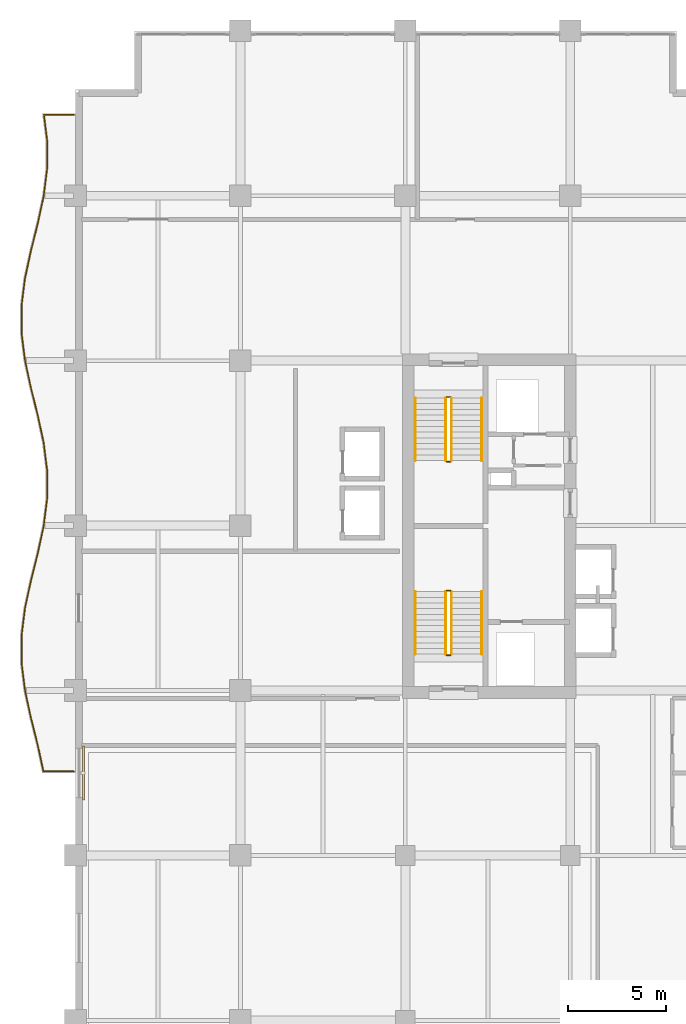
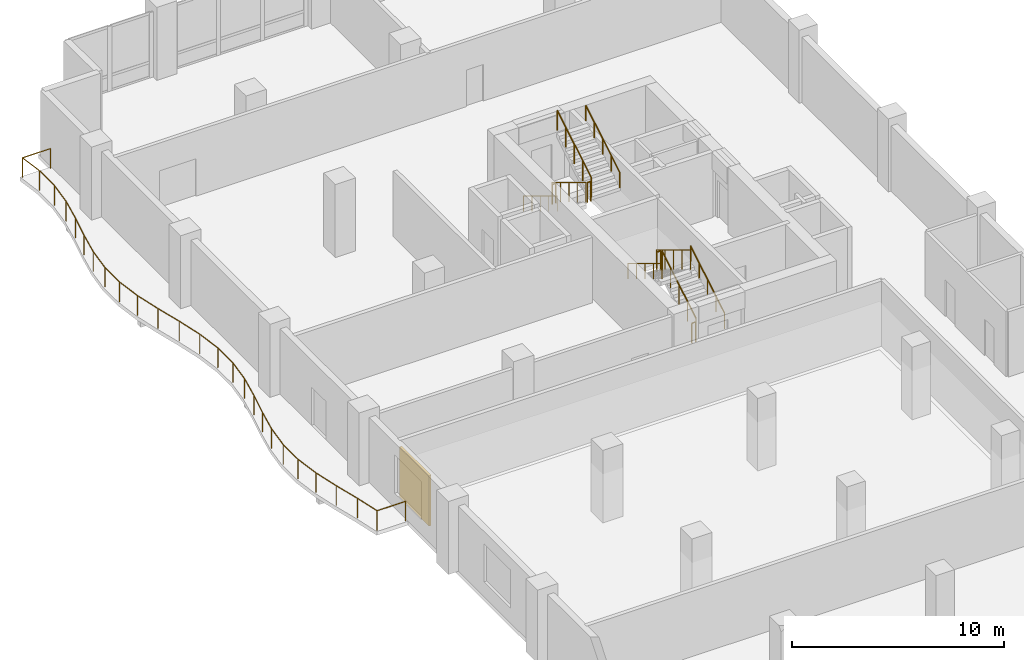
# One storey, part 20 of 21: 13 railings, 1 shading device.
"""IFC4 building model written with IfcOpenShell, lengths in metres."""

import ifcopenshell
import ifcopenshell.guid

model = None  # the IFC model being written
_history = None  # IfcOwnerHistory: only IFC2X3 demands one
_inside = {}  # id of a spatial element -> (the spatial element, [elements in it])
_under = {}  # id of a project, library or spatial element -> (it, [spatial elements below it])
_declared = {}  # id of a project -> (the project, [libraries it declares])
_typed = {}  # id of a type object -> (the type object, [elements of that type])
_made_of = {}  # id of a material, layer set ... -> (it, [elements and type objects made of it])


def new_model(schema):
    """Start an empty IFC model of exactly this schema.

    Asked for "IFC4X3", IfcOpenShell would pick the latest addendum, in which some entities
    have other attributes; the version numbers below select the first issue.
    IFC2X3 requires an IfcOwnerHistory on every rooted entity: one is made here for all.
    """
    global model, _history
    if schema == "IFC4X3":
        model = ifcopenshell.file(schema_version=(4, 3, 0, 0))
    else:
        model = ifcopenshell.file(schema=schema)
    _inside.clear()
    _under.clear()
    _declared.clear()
    _typed.clear()
    _made_of.clear()
    _history = None
    if model.schema == "IFC2X3":
        org = make("IfcOrganization", Name="unknown")
        user = make(
            "IfcPersonAndOrganization",
            ThePerson=make("IfcPerson", FamilyName="unknown"),
            TheOrganization=org,
        )
        app = make(
            "IfcApplication",
            ApplicationDeveloper=org,
            Version="unknown",
            ApplicationFullName="unknown",
            ApplicationIdentifier="unknown",
        )
        _history = make(
            "IfcOwnerHistory",
            OwningUser=user,
            OwningApplication=app,
            ChangeAction="ADDED",
            CreationDate=0,
        )
    return model


def make(cls, **values):
    """One entity of the class cls with the attributes given. An attribute that is None is left unset."""
    return model.create_entity(
        cls, **{name: value for name, value in values.items() if value is not None}
    )


def rooted(cls, **values):
    """An entity with a GlobalId (a new one), such as an element, a storey or a relation."""
    return make(cls, GlobalId=ifcopenshell.guid.new(), OwnerHistory=_history, **values)


def si_unit(unit_type, name, prefix=None):
    """IfcSIUnit, for example si_unit("LENGTHUNIT", "METRE", prefix="MILLI")."""
    return make("IfcSIUnit", UnitType=unit_type, Prefix=prefix, Name=name)


def assignment(units):
    """IfcUnitAssignment: the units of a project."""
    return None if units is None else make("IfcUnitAssignment", Units=units)


def point(xyz):
    """IfcCartesianPoint."""
    return None if xyz is None else make("IfcCartesianPoint", Coordinates=xyz)


def direction(xyz):
    """IfcDirection."""
    return None if xyz is None else make("IfcDirection", DirectionRatios=xyz)


def frame(location, z_axis=None, x_axis=None):
    """IfcAxis2Placement3D, a coordinate frame: its origin and axes. An axis left out is left unset."""
    return make(
        "IfcAxis2Placement3D",
        Location=point(location),
        Axis=direction(z_axis),
        RefDirection=direction(x_axis),
    )


def frame_2d(location, x_axis=None):
    """IfcAxis2Placement2D, a coordinate frame in the plane: its origin and x axis."""
    return make(
        "IfcAxis2Placement2D", Location=point(location), RefDirection=direction(x_axis)
    )


def origin():
    """The frame at (0, 0, 0) with its axes left unset."""
    return frame((0.0, 0.0, 0.0))


def origin_2d():
    """The frame at (0, 0) in the plane with its x axis left unset."""
    return frame_2d((0.0, 0.0))


def place(relative_to, where):
    """IfcLocalPlacement: puts the frame where relative to a parent placement (None: the world)."""
    return make(
        "IfcLocalPlacement", PlacementRelTo=relative_to, RelativePlacement=where
    )


def context(
    kind, dimensions, precision=None, world=None, true_north=None, identifier=None
):
    """IfcGeometricRepresentationContext, for example the 3D "Model" context."""
    return make(
        "IfcGeometricRepresentationContext",
        ContextIdentifier=identifier,
        ContextType=kind,
        CoordinateSpaceDimension=dimensions,
        Precision=precision,
        WorldCoordinateSystem=world,
        TrueNorth=true_north,
    )


def subcontext(parent, identifier, kind, view, scale=None):
    """IfcGeometricRepresentationSubContext, for example "Body" below "Model"."""
    return make(
        "IfcGeometricRepresentationSubContext",
        ContextIdentifier=identifier,
        ContextType=kind,
        ParentContext=parent,
        TargetScale=scale,
        TargetView=view,
    )


def project(units=None, contexts=None):
    """IfcProject with its units and contexts."""
    return rooted(
        "IfcProject",
        Name="project",
        RepresentationContexts=contexts,
        UnitsInContext=assignment(units),
    )


def spatial(cls, under=None, at=None, **own):
    """A site, building, storey or space (cls), placed at a placement, below another one or the project."""
    s = rooted(cls, ObjectPlacement=at, **own)
    if under is not None:
        _under.setdefault(under.id(), (under, []))[1].append(s)
    return s


def profile(cls, at=None, kind="AREA", **sizes):
    """A parametric profile (cls). Its sizes go by their IFC names, for example OverallWidth=200.0."""
    return make(cls, ProfileType=kind, Position=at, **sizes)


def rectangle(**sizes):
    """IfcRectangleProfileDef."""
    return profile("IfcRectangleProfileDef", **sizes)


def circle(**sizes):
    """IfcCircleProfileDef."""
    return profile("IfcCircleProfileDef", **sizes)


def extrude(swept, where, along, depth):
    """IfcExtrudedAreaSolid: the profile swept, set in the frame where, extruded along a direction by depth."""
    return make(
        "IfcExtrudedAreaSolid",
        SweptArea=swept,
        Position=where,
        ExtrudedDirection=direction(along),
        Depth=depth,
    )


def shape(context_of_items, identifier, shape_type, items):
    """IfcShapeRepresentation: the items that make up one representation, for example the "Body"."""
    return make(
        "IfcShapeRepresentation",
        ContextOfItems=context_of_items,
        RepresentationIdentifier=identifier,
        RepresentationType=shape_type,
        Items=items,
    )


def material(Name=None, Category=None):
    """IfcMaterial."""
    return make("IfcMaterial", Name=Name, Category=Category)


def layer(
    of_material, thickness, ventilated=None, Name=None, Category=None, Priority=None
):
    """IfcMaterialLayer: one layer of a wall or slab, of a material (None: an air gap)."""
    return make(
        "IfcMaterialLayer",
        Material=of_material,
        LayerThickness=thickness,
        IsVentilated=ventilated,
        Name=Name,
        Category=Category,
        Priority=Priority,
    )


def layer_set(layers, Name=None):
    """IfcMaterialLayerSet."""
    return make("IfcMaterialLayerSet", MaterialLayers=layers, LayerSetName=Name)


def made_of(thing, what):
    """Note that an element or type object is made of a material, layer set ...; save() writes the relation."""
    if what is not None:
        _made_of.setdefault(what.id(), (what, []))[1].append(thing)
    return thing


def type_object(cls, material=None, **own):
    """A type object (cls), such as IfcWallType, which elements share."""
    return made_of(rooted(cls, **own), material)


def element(
    cls,
    number,
    at=None,
    inside=None,
    cuts=None,
    type_object=None,
    material=None,
    context=None,
    identifier="Body",
    shape_type=None,
    held_by="IfcProductDefinitionShape",
    body=None,
    shapes=None,
    **own,
):
    """One element of the class cls, such as IfcWall. Its Tag is "e" and its number.

    at: its placement. inside: the storey or other place that contains it. cuts: it is an
    opening in that element (IfcRelVoidsElement). A single representation is given by context,
    identifier, shape_type and body (its items); several are given by shapes. held_by: the class
    of the entity that holds the representations. save() writes the other relations.
    """
    e = rooted(cls, Tag="e%d" % number, ObjectPlacement=at, **own)
    if body is not None:
        shapes = [shape(context, identifier, shape_type, body)]
    if shapes is not None:
        e.Representation = make(held_by, Representations=shapes)
    if inside is not None:
        _inside.setdefault(inside.id(), (inside, []))[1].append(e)
    if cuts is not None:
        rooted(
            "IfcRelVoidsElement", RelatingBuildingElement=cuts, RelatedOpeningElement=e
        )
    if type_object is not None:
        _typed.setdefault(type_object.id(), (type_object, []))[1].append(e)
    return made_of(e, material)


def aggregate(whole, parts):
    """IfcRelAggregates: a whole, such as a stair, and the parts it consists of."""
    return rooted("IfcRelAggregates", RelatingObject=whole, RelatedObjects=parts)


def save(model, path):
    """Write the relations noted so far, then the file.

    IfcRelAggregates (storeys below a building ...), IfcRelContainedInSpatialStructure (elements
    in a storey), IfcRelDefinesByType, IfcRelAssociatesMaterial and IfcRelDeclares: one each for
    every whole, place, type object, material and project.
    """
    for whole, parts in _under.values():
        aggregate(whole, parts)
    for where, things in _inside.values():
        rooted(
            "IfcRelContainedInSpatialStructure",
            RelatedElements=things,
            RelatingStructure=where,
        )
    for kind, things in _typed.values():
        rooted("IfcRelDefinesByType", RelatedObjects=things, RelatingType=kind)
    for what, things in _made_of.values():
        rooted("IfcRelAssociatesMaterial", RelatedObjects=things, RelatingMaterial=what)
    for by, libraries in _declared.values():
        rooted("IfcRelDeclares", RelatingContext=by, RelatedDefinitions=libraries)
    model.write(path)


model = new_model("IFC4")

# Units and contexts
model_context = context("Model", 3, precision=1e-05, world=origin(), true_north=direction((0.0, 1.0)))
body_context = subcontext(model_context, "Body", "Model", "MODEL_VIEW")
ifc_project = project(units=[si_unit("LENGTHUNIT", "METRE"), si_unit("AREAUNIT", "SQUARE_METRE"), si_unit("VOLUMEUNIT", "CUBIC_METRE"), si_unit("PLANEANGLEUNIT", "RADIAN"), si_unit("MASSUNIT", "GRAM", prefix="KILO")], contexts=[model_context])

# Site, building, storey
site_placement = place(None, origin())
site = spatial("IfcSite", under=ifc_project, at=site_placement, CompositionType="ELEMENT")
building_placement = place(site_placement, origin())
building = spatial("IfcBuilding", under=site, at=building_placement, Name="Koriwani Terraces Tower", CompositionType="ELEMENT")
storey_placement = place(building_placement, frame((0.0, 0.0, 224.0)))
storey = spatial("IfcBuildingStorey", under=building, at=storey_placement, Name="L55", CompositionType="ELEMENT", Elevation=224.0)

# Railings
ifc_material_1 = material(Name="Steel ASTM A572 Grade 50", Category="steel")
railing_type_1 = type_object("IfcRailingType", Name="GUARD_BALUSTRADE_1150", PredefinedType="BALUSTRADE", material=ifc_material_1)
railing_1_placement = place(storey_placement, frame((-0.080078125, 37.8798828125, 0.0)))
element("IfcRailing", 1, at=railing_1_placement, inside=storey, type_object=railing_type_1, Name="L55 Balcony Perimeter Safety Balustrade (W)", PredefinedType="BALUSTRADE", context=body_context, shape_type="SweptSolid", body=[
    extrude(circle(Radius=0.02392578125, at=origin_2d()), frame((0.0, 0.0, 1.1259765625), z_axis=(-1.0, 0.0, 0.0), x_axis=(0.0, -1.0, 0.0)), (0.0, 0.0, 1.0), 1.552978515625),
    extrude(circle(Radius=0.02392578125, at=origin_2d()), frame((-1.552978515625, 0.0, 1.1259765625), z_axis=(-0.211318979222, 0.977417151998, 0.0), x_axis=(-0.977417151998, -0.211318979222, 0.0)), (0.0, 0.0, 1.0), 1.369140625),
    extrude(circle(Radius=0.02392578125, at=origin_2d()), frame((-1.84228515625, 1.338134765625, 1.1259765625), z_axis=(-0.242097720621, 0.970251871253, 0.0), x_axis=(-0.970251871253, -0.242097720621, 0.0)), (0.0, 0.0, 1.0), 1.443115234375),
    extrude(circle(Radius=0.02392578125, at=origin_2d()), frame((-2.191650390625, 2.73828125, 1.1259765625), z_axis=(-0.211385782237, 0.977402706702, 0.0), x_axis=(-0.977402706702, -0.211385782237, 0.0)), (0.0, 0.0, 1.0), 1.427490234375),
    extrude(circle(Radius=0.02392578125, at=origin_2d()), frame((-2.493408203125, 4.133544921875, 1.1259765625), z_axis=(-0.123777613669, 0.992309982997, 0.0), x_axis=(-0.992309982997, -0.123777613669, 0.0)), (0.0, 0.0, 1.0), 1.40234375),
    extrude(circle(Radius=0.02392578125, at=origin_2d()), frame((-2.6669921875, 5.525146484375, 1.1259765625), z_axis=(0.0, 1.0, 0.0), x_axis=(-1.0, 0.0, 0.0)), (0.0, 0.0, 1.0), 1.389892578125),
    extrude(circle(Radius=0.02392578125, at=origin_2d()), frame((-2.6669921875, 6.9150390625, 1.1259765625), z_axis=(0.123777613669, 0.992309982997, 0.0), x_axis=(-0.992309982997, 0.123777613669, 0.0)), (0.0, 0.0, 1.0), 1.40234375),
    extrude(circle(Radius=0.02392578125, at=origin_2d()), frame((-2.493408203125, 8.306640625, 1.1259765625), z_axis=(0.211385782237, 0.977402706702, 0.0), x_axis=(-0.977402706702, 0.211385782237, 0.0)), (0.0, 0.0, 1.0), 1.427490234375),
    extrude(circle(Radius=0.02392578125, at=origin_2d()), frame((-2.191650390625, 9.701904296875, 1.1259765625), z_axis=(0.242097720621, 0.970251871253, 0.0), x_axis=(-0.970251871253, 0.242097720621, 0.0)), (0.0, 0.0, 1.0), 1.443115234375),
    extrude(circle(Radius=0.02392578125, at=origin_2d()), frame((-1.84228515625, 11.10205078125, 1.1259765625), z_axis=(0.21115295759, 0.977453031353, 0.0), x_axis=(-0.977453031353, 0.21115295759, 0.0)), (0.0, 0.0, 1.0), 1.437255859375),
    extrude(circle(Radius=0.02392578125, at=origin_2d()), frame((-1.538818359375, 12.5068359375, 1.1259765625), z_axis=(0.123695943136, 0.992320166908, 0.0), x_axis=(-0.992320166908, 0.123695943136, 0.0)), (0.0, 0.0, 1.0), 1.419189453125),
    extrude(circle(Radius=0.02392578125, at=origin_2d()), frame((-1.36328125, 13.9150390625, 1.1259765625), z_axis=(0.0, 1.0, 0.0), x_axis=(-1.0, 0.0, 0.0)), (0.0, 0.0, 1.0), 1.41015625),
    extrude(circle(Radius=0.02392578125, at=origin_2d()), frame((-1.36328125, 15.3251953125, 1.1259765625), z_axis=(-0.123695943136, 0.992320166908, 0.0), x_axis=(-0.992320166908, -0.123695943136, 0.0)), (0.0, 0.0, 1.0), 1.419189453125),
    extrude(circle(Radius=0.02392578125, at=origin_2d()), frame((-1.538818359375, 16.7333984375, 1.1259765625), z_axis=(-0.21115295759, 0.977453031353, 0.0), x_axis=(-0.977453031353, -0.21115295759, 0.0)), (0.0, 0.0, 1.0), 1.437255859375),
    extrude(circle(Radius=0.02392578125, at=origin_2d()), frame((-1.84228515625, 18.13818359375, 1.1259765625), z_axis=(-0.242097720621, 0.970251871253, 0.0), x_axis=(-0.970251871253, -0.242097720621, 0.0)), (0.0, 0.0, 1.0), 1.443115234375),
    extrude(circle(Radius=0.02392578125, at=origin_2d()), frame((-2.191650390625, 19.538330078125, 1.1259765625), z_axis=(-0.211385782237, 0.977402706702, 0.0), x_axis=(-0.977402706702, -0.211385782237, 0.0)), (0.0, 0.0, 1.0), 1.427490234375),
    extrude(circle(Radius=0.02392578125, at=origin_2d()), frame((-2.493408203125, 20.93359375, 1.1259765625), z_axis=(-0.123777613669, 0.992309982997, 0.0), x_axis=(-0.992309982997, -0.123777613669, 0.0)), (0.0, 0.0, 1.0), 1.40234375),
    extrude(circle(Radius=0.02392578125, at=origin_2d()), frame((-2.6669921875, 22.3251953125, 1.1259765625), z_axis=(0.0, 1.0, 0.0), x_axis=(-1.0, 0.0, 0.0)), (0.0, 0.0, 1.0), 1.389892578125),
    extrude(circle(Radius=0.02392578125, at=origin_2d()), frame((-2.6669921875, 23.715087890625, 1.1259765625), z_axis=(0.123777613669, 0.992309982997, 0.0), x_axis=(-0.992309982997, 0.123777613669, 0.0)), (0.0, 0.0, 1.0), 1.40234375),
    extrude(circle(Radius=0.02392578125, at=origin_2d()), frame((-2.493408203125, 25.106689453125, 1.1259765625), z_axis=(0.211385782237, 0.977402706702, 0.0), x_axis=(-0.977402706702, 0.211385782237, 0.0)), (0.0, 0.0, 1.0), 1.427490234375),
    extrude(circle(Radius=0.02392578125, at=origin_2d()), frame((-2.191650390625, 26.501953125, 1.1259765625), z_axis=(0.242097720621, 0.970251871253, 0.0), x_axis=(-0.970251871253, 0.242097720621, 0.0)), (0.0, 0.0, 1.0), 1.443115234375),
    extrude(circle(Radius=0.02392578125, at=origin_2d()), frame((-1.84228515625, 27.902099609375, 1.1259765625), z_axis=(0.211188023857, 0.977445455552, 0.0), x_axis=(-0.977445455552, 0.211188023857, 0.0)), (0.0, 0.0, 1.0), 1.43701171875),
    extrude(circle(Radius=0.02392578125, at=origin_2d()), frame((-1.538818359375, 29.306640625, 1.1259765625), z_axis=(0.123674829633, 0.992322798546, 0.0), x_axis=(-0.992322798546, 0.123674829633, 0.0)), (0.0, 0.0, 1.0), 1.41943359375),
    extrude(circle(Radius=0.02392578125, at=origin_2d()), frame((-1.36328125, 30.715087890625, 1.1259765625), z_axis=(0.0, 1.0, 0.0), x_axis=(-1.0, 0.0, 0.0)), (0.0, 0.0, 1.0), 1.409912109375),
    extrude(circle(Radius=0.02392578125, at=origin_2d()), frame((-1.36328125, 32.125, 1.1259765625), z_axis=(-0.123603958219, 0.992331628798, 0.0), x_axis=(-0.992331628798, -0.123603958219, 0.0)), (0.0, 0.0, 1.0), 1.325439453125),
    extrude(circle(Radius=0.02392578125, at=origin_2d()), frame((-1.527099609375, 33.440185546875, 1.1259765625), z_axis=(1.0, 0.0, 0.0), x_axis=(0.0, 1.0, 0.0)), (0.0, 0.0, 1.0), 1.527099609375),
    extrude(circle(Radius=0.02099609375, at=origin_2d()), origin(), (0.0, 0.0, 1.0), 1.101806640625),
    extrude(circle(Radius=0.02099609375, at=origin_2d()), frame((-1.552978515625, 0.0, 0.0)), (0.0, 0.0, 1.0), 1.101806640625),
    extrude(circle(Radius=0.02099609375, at=origin_2d()), frame((-1.84228515625, 1.338134765625, 0.0)), (0.0, 0.0, 1.0), 1.101806640625),
    extrude(circle(Radius=0.02099609375, at=origin_2d()), frame((-2.191650390625, 2.73828125, 0.0)), (0.0, 0.0, 1.0), 1.101806640625),
    extrude(circle(Radius=0.02099609375, at=origin_2d()), frame((-2.493408203125, 4.133544921875, 0.0)), (0.0, 0.0, 1.0), 1.101806640625),
    extrude(circle(Radius=0.02099609375, at=origin_2d()), frame((-2.6669921875, 5.525146484375, 0.0)), (0.0, 0.0, 1.0), 1.101806640625),
    extrude(circle(Radius=0.02099609375, at=origin_2d()), frame((-2.6669921875, 6.9150390625, 0.0)), (0.0, 0.0, 1.0), 1.101806640625),
    extrude(circle(Radius=0.02099609375, at=origin_2d()), frame((-2.493408203125, 8.306640625, 0.0)), (0.0, 0.0, 1.0), 1.101806640625),
    extrude(circle(Radius=0.02099609375, at=origin_2d()), frame((-2.191650390625, 9.701904296875, 0.0)), (0.0, 0.0, 1.0), 1.101806640625),
    extrude(circle(Radius=0.02099609375, at=origin_2d()), frame((-1.84228515625, 11.10205078125, 0.0)), (0.0, 0.0, 1.0), 1.101806640625),
    extrude(circle(Radius=0.02099609375, at=origin_2d()), frame((-1.538818359375, 12.5068359375, 0.0)), (0.0, 0.0, 1.0), 1.101806640625),
    extrude(circle(Radius=0.02099609375, at=origin_2d()), frame((-1.36328125, 13.9150390625, 0.0)), (0.0, 0.0, 1.0), 1.101806640625),
    extrude(circle(Radius=0.02099609375, at=origin_2d()), frame((-1.36328125, 15.3251953125, 0.0)), (0.0, 0.0, 1.0), 1.101806640625),
    extrude(circle(Radius=0.02099609375, at=origin_2d()), frame((-1.538818359375, 16.7333984375, 0.0)), (0.0, 0.0, 1.0), 1.101806640625),
    extrude(circle(Radius=0.02099609375, at=origin_2d()), frame((-1.84228515625, 18.13818359375, 0.0)), (0.0, 0.0, 1.0), 1.101806640625),
    extrude(circle(Radius=0.02099609375, at=origin_2d()), frame((-2.191650390625, 19.538330078125, 0.0)), (0.0, 0.0, 1.0), 1.101806640625),
    extrude(circle(Radius=0.02099609375, at=origin_2d()), frame((-2.493408203125, 20.93359375, 0.0)), (0.0, 0.0, 1.0), 1.101806640625),
    extrude(circle(Radius=0.02099609375, at=origin_2d()), frame((-2.6669921875, 22.3251953125, 0.0)), (0.0, 0.0, 1.0), 1.101806640625),
    extrude(circle(Radius=0.02099609375, at=origin_2d()), frame((-2.6669921875, 23.715087890625, 0.0)), (0.0, 0.0, 1.0), 1.101806640625),
    extrude(circle(Radius=0.02099609375, at=origin_2d()), frame((-2.493408203125, 25.106689453125, 0.0)), (0.0, 0.0, 1.0), 1.101806640625),
    extrude(circle(Radius=0.02099609375, at=origin_2d()), frame((-2.191650390625, 26.501953125, 0.0)), (0.0, 0.0, 1.0), 1.101806640625),
    extrude(circle(Radius=0.02099609375, at=origin_2d()), frame((-1.84228515625, 27.902099609375, 0.0)), (0.0, 0.0, 1.0), 1.101806640625),
    extrude(circle(Radius=0.02099609375, at=origin_2d()), frame((-1.538818359375, 29.306640625, 0.0)), (0.0, 0.0, 1.0), 1.101806640625),
    extrude(circle(Radius=0.02099609375, at=origin_2d()), frame((-1.36328125, 30.715087890625, 0.0)), (0.0, 0.0, 1.0), 1.101806640625),
    extrude(circle(Radius=0.02099609375, at=origin_2d()), frame((-1.36328125, 32.125, 0.0)), (0.0, 0.0, 1.0), 1.101806640625),
    extrude(circle(Radius=0.02099609375, at=origin_2d()), frame((-1.527099609375, 33.440185546875, 0.0)), (0.0, 0.0, 1.0), 1.101806640625),
    extrude(circle(Radius=0.02099609375, at=origin_2d()), frame((0.0, 33.440185546875, 0.0)), (0.0, 0.0, 1.0), 1.101806640625),
])
railing_type_2 = type_object("IfcRailingType", Name="GUARD_STAIR_WELL_1120", PredefinedType="GUARDRAIL", material=ifc_material_1)
railing_2_placement = place(storey_placement, frame((19.14990234375, 43.85009765625, 0.175048828125)))
element("IfcRailing", 2, at=railing_2_placement, inside=storey, type_object=railing_type_2, Name="L55 ST-W1 stair guard 1", PredefinedType="GUARDRAIL", context=body_context, shape_type="SweptSolid", body=[
    extrude(circle(Radius=0.02392578125, at=origin_2d()), frame((0.0, 0.0, 1.1259765625), z_axis=(0.0, 0.856177665481, 0.516681531633), x_axis=(-1.0, 0.0, 0.0)), (0.0, 0.0, 1.0), 3.725830078125),
    extrude(circle(Radius=0.02099609375, at=origin_2d()), origin(), (0.0, 0.0, 1.0), 1.101806640625),
    extrude(circle(Radius=0.02099609375, at=origin_2d()), frame((0.0, 0.79736328125, 0.481201171875)), (0.0, 0.0, 1.0), 1.101806640625),
    extrude(circle(Radius=0.02099609375, at=origin_2d()), frame((0.0, 1.594970703125, 0.96240234375)), (0.0, 0.0, 1.0), 1.101806640625),
    extrude(circle(Radius=0.02099609375, at=origin_2d()), frame((0.0, 2.392578125, 1.44384765625)), (0.0, 0.0, 1.0), 1.101806640625),
    extrude(circle(Radius=0.02099609375, at=origin_2d()), frame((0.0, 3.18994140625, 1.925048828125)), (0.0, 0.0, 1.0), 1.101806640625),
])
railing_3_placement = place(storey_placement, frame((19.10009765625, 47.090087890625, 2.10009765625)))
element("IfcRailing", 3, at=railing_3_placement, inside=storey, type_object=railing_type_2, Name="L55 ST-W1 stair guard 2", PredefinedType="GUARDRAIL", context=body_context, shape_type="SweptSolid", body=[
    extrude(circle(Radius=0.02392578125, at=origin_2d()), frame((0.0, 0.0, 1.1259765625), z_axis=(-1.0, 0.0, 0.0), x_axis=(0.0, -1.0, 0.0)), (0.0, 0.0, 1.0), 0.2001953125),
    extrude(circle(Radius=0.02099609375, at=origin_2d()), origin(), (0.0, 0.0, 1.0), 1.101806640625),
    extrude(circle(Radius=0.02099609375, at=origin_2d()), frame((-0.2001953125, 0.0, 0.0)), (0.0, 0.0, 1.0), 1.101806640625),
])
railing_4_placement = place(storey_placement, frame((18.85009765625, 47.0400390625, 2.27490234375)))
element("IfcRailing", 4, at=railing_4_placement, inside=storey, type_object=railing_type_2, Name="L55 ST-W1 stair guard 3", PredefinedType="GUARDRAIL", context=body_context, shape_type="SweptSolid", body=[
    extrude(circle(Radius=0.02392578125, at=origin_2d()), frame((0.0, 0.0, 1.1259765625), z_axis=(0.0, -0.856177665481, 0.516681531633), x_axis=(1.0, 0.0, 0.0)), (0.0, 0.0, 1.0), 3.725830078125),
    extrude(circle(Radius=0.02099609375, at=origin_2d()), origin(), (0.0, 0.0, 1.0), 1.101806640625),
    extrude(circle(Radius=0.02099609375, at=origin_2d()), frame((0.0, -0.79736328125, 0.481201171875)), (0.0, 0.0, 1.0), 1.101806640625),
    extrude(circle(Radius=0.02099609375, at=origin_2d()), frame((0.0, -1.594970703125, 0.96240234375)), (0.0, 0.0, 1.0), 1.101806640625),
    extrude(circle(Radius=0.02099609375, at=origin_2d()), frame((0.0, -2.392578125, 1.44384765625)), (0.0, 0.0, 1.0), 1.101806640625),
    extrude(circle(Radius=0.02099609375, at=origin_2d()), frame((0.0, -3.18994140625, 1.925048828125)), (0.0, 0.0, 1.0), 1.101806640625),
])
railing_5_placement = place(storey_placement, frame((19.10009765625, 43.800048828125, 0.0)))
element("IfcRailing", 5, at=railing_5_placement, inside=storey, type_object=railing_type_2, Name="L55 ST-W1 stair guard 4", PredefinedType="GUARDRAIL", context=body_context, shape_type="SweptSolid", body=[
    extrude(circle(Radius=0.02392578125, at=origin_2d()), frame((0.0, 0.0, 1.1259765625), z_axis=(-1.0, 0.0, 0.0), x_axis=(0.0, -1.0, 0.0)), (0.0, 0.0, 1.0), 0.2001953125),
    extrude(circle(Radius=0.02099609375, at=origin_2d()), origin(), (0.0, 0.0, 1.0), 1.101806640625),
    extrude(circle(Radius=0.02099609375, at=origin_2d()), frame((-0.2001953125, 0.0, 0.0)), (0.0, 0.0, 1.0), 1.101806640625),
])
railing_6_placement = place(storey_placement, frame((18.85009765625, 56.89990234375, 0.175048828125)))
element("IfcRailing", 6, at=railing_6_placement, inside=storey, type_object=railing_type_2, Name="L55 ST-W2 stair guard 1", PredefinedType="GUARDRAIL", context=body_context, shape_type="SweptSolid", body=[
    extrude(circle(Radius=0.02392578125, at=origin_2d()), frame((0.0, 0.0, 1.1259765625), z_axis=(0.0, -0.856177665481, 0.516681531633), x_axis=(1.0, 0.0, 0.0)), (0.0, 0.0, 1.0), 3.725830078125),
    extrude(circle(Radius=0.02099609375, at=origin_2d()), origin(), (0.0, 0.0, 1.0), 1.101806640625),
    extrude(circle(Radius=0.02099609375, at=origin_2d()), frame((0.0, -0.79736328125, 0.481201171875)), (0.0, 0.0, 1.0), 1.101806640625),
    extrude(circle(Radius=0.02099609375, at=origin_2d()), frame((0.0, -1.594970703125, 0.96240234375)), (0.0, 0.0, 1.0), 1.101806640625),
    extrude(circle(Radius=0.02099609375, at=origin_2d()), frame((0.0, -2.392578125, 1.44384765625)), (0.0, 0.0, 1.0), 1.101806640625),
    extrude(circle(Radius=0.02099609375, at=origin_2d()), frame((0.0, -3.18994140625, 1.925048828125)), (0.0, 0.0, 1.0), 1.101806640625),
])
railing_7_placement = place(storey_placement, frame((18.89990234375, 53.659912109375, 2.10009765625)))
element("IfcRailing", 7, at=railing_7_placement, inside=storey, type_object=railing_type_2, Name="L55 ST-W2 stair guard 2", PredefinedType="GUARDRAIL", context=body_context, shape_type="SweptSolid", body=[
    extrude(circle(Radius=0.02392578125, at=origin_2d()), frame((0.0, 0.0, 1.1259765625), z_axis=(1.0, 0.0, 0.0), x_axis=(0.0, 1.0, 0.0)), (0.0, 0.0, 1.0), 0.2001953125),
    extrude(circle(Radius=0.02099609375, at=origin_2d()), origin(), (0.0, 0.0, 1.0), 1.101806640625),
    extrude(circle(Radius=0.02099609375, at=origin_2d()), frame((0.2001953125, 0.0, 0.0)), (0.0, 0.0, 1.0), 1.101806640625),
])
railing_8_placement = place(storey_placement, frame((19.14990234375, 53.7099609375, 2.27490234375)))
element("IfcRailing", 8, at=railing_8_placement, inside=storey, type_object=railing_type_2, Name="L55 ST-W2 stair guard 3", PredefinedType="GUARDRAIL", context=body_context, shape_type="SweptSolid", body=[
    extrude(circle(Radius=0.02392578125, at=origin_2d()), frame((0.0, 0.0, 1.1259765625), z_axis=(0.0, 0.856177665481, 0.516681531633), x_axis=(-1.0, 0.0, 0.0)), (0.0, 0.0, 1.0), 3.725830078125),
    extrude(circle(Radius=0.02099609375, at=origin_2d()), origin(), (0.0, 0.0, 1.0), 1.101806640625),
    extrude(circle(Radius=0.02099609375, at=origin_2d()), frame((0.0, 0.79736328125, 0.481201171875)), (0.0, 0.0, 1.0), 1.101806640625),
    extrude(circle(Radius=0.02099609375, at=origin_2d()), frame((0.0, 1.594970703125, 0.96240234375)), (0.0, 0.0, 1.0), 1.101806640625),
    extrude(circle(Radius=0.02099609375, at=origin_2d()), frame((0.0, 2.392578125, 1.44384765625)), (0.0, 0.0, 1.0), 1.101806640625),
    extrude(circle(Radius=0.02099609375, at=origin_2d()), frame((0.0, 3.18994140625, 1.925048828125)), (0.0, 0.0, 1.0), 1.101806640625),
])
railing_9_placement = place(storey_placement, frame((18.89990234375, 56.949951171875, 0.0)))
element("IfcRailing", 9, at=railing_9_placement, inside=storey, type_object=railing_type_2, Name="L55 ST-W2 stair guard 4", PredefinedType="GUARDRAIL", context=body_context, shape_type="SweptSolid", body=[
    extrude(circle(Radius=0.02392578125, at=origin_2d()), frame((0.0, 0.0, 1.1259765625), z_axis=(1.0, 0.0, 0.0), x_axis=(0.0, 1.0, 0.0)), (0.0, 0.0, 1.0), 0.2001953125),
    extrude(circle(Radius=0.02099609375, at=origin_2d()), origin(), (0.0, 0.0, 1.0), 1.101806640625),
    extrude(circle(Radius=0.02099609375, at=origin_2d()), frame((0.2001953125, 0.0, 0.0)), (0.0, 0.0, 1.0), 1.101806640625),
])
railing_type_3 = type_object("IfcRailingType", Name="HANDRAIL_STAIR_920", PredefinedType="HANDRAIL", material=ifc_material_1)
railing_10_placement = place(storey_placement, frame((20.699951171875, 43.85009765625, 0.175048828125)))
element("IfcRailing", 10, at=railing_10_placement, inside=storey, type_object=railing_type_3, Name="L55 ST-W1 stair handrail 1", PredefinedType="HANDRAIL", context=body_context, shape_type="SweptSolid", body=[
    extrude(circle(Radius=0.02392578125, at=origin_2d()), frame((0.0, 0.0, 0.8759765625), z_axis=(0.0, 0.856177665481, 0.516681531633), x_axis=(-1.0, 0.0, 0.0)), (0.0, 0.0, 1.0), 3.725830078125),
    extrude(circle(Radius=0.02099609375, at=origin_2d()), origin(), (0.0, 0.0, 1.0), 0.851806640625),
    extrude(circle(Radius=0.02099609375, at=origin_2d()), frame((0.0, 0.79736328125, 0.481201171875)), (0.0, 0.0, 1.0), 0.851806640625),
    extrude(circle(Radius=0.02099609375, at=origin_2d()), frame((0.0, 1.594970703125, 0.96240234375)), (0.0, 0.0, 1.0), 0.851806640625),
    extrude(circle(Radius=0.02099609375, at=origin_2d()), frame((0.0, 2.392578125, 1.44384765625)), (0.0, 0.0, 1.0), 0.851806640625),
    extrude(circle(Radius=0.02099609375, at=origin_2d()), frame((0.0, 3.18994140625, 1.925048828125)), (0.0, 0.0, 1.0), 0.851806640625),
])
for number, where, name in (
    (11, (17.300048828125, 47.0400390625, 2.27490234375), "L55 ST-W1 stair handrail 2"),
    (12, (17.300048828125, 56.89990234375, 0.175048828125), "L55 ST-W2 stair handrail 1"),
):
    element("IfcRailing", number, at=place(storey_placement, frame(where)), inside=storey, type_object=railing_type_3, Name=name, PredefinedType="HANDRAIL", context=body_context, shape_type="SweptSolid", body=[
        extrude(circle(Radius=0.02392578125, at=origin_2d()), frame((0.0, 0.0, 0.8759765625), z_axis=(0.0, -0.856177665481, 0.516681531633), x_axis=(1.0, 0.0, 0.0)), (0.0, 0.0, 1.0), 3.725830078125),
        extrude(circle(Radius=0.02099609375, at=origin_2d()), origin(), (0.0, 0.0, 1.0), 0.851806640625),
        extrude(circle(Radius=0.02099609375, at=origin_2d()), frame((0.0, -0.79736328125, 0.481201171875)), (0.0, 0.0, 1.0), 0.851806640625),
        extrude(circle(Radius=0.02099609375, at=origin_2d()), frame((0.0, -1.594970703125, 0.96240234375)), (0.0, 0.0, 1.0), 0.851806640625),
        extrude(circle(Radius=0.02099609375, at=origin_2d()), frame((0.0, -2.392578125, 1.44384765625)), (0.0, 0.0, 1.0), 0.851806640625),
        extrude(circle(Radius=0.02099609375, at=origin_2d()), frame((0.0, -3.18994140625, 1.925048828125)), (0.0, 0.0, 1.0), 0.851806640625),
    ])
railing_11_placement = place(storey_placement, frame((20.699951171875, 53.7099609375, 2.27490234375)))
element("IfcRailing", 13, at=railing_11_placement, inside=storey, type_object=railing_type_3, Name="L55 ST-W2 stair handrail 2", PredefinedType="HANDRAIL", context=body_context, shape_type="SweptSolid", body=[
    extrude(circle(Radius=0.02392578125, at=origin_2d()), frame((0.0, 0.0, 0.8759765625), z_axis=(0.0, 0.856177665481, 0.516681531633), x_axis=(-1.0, 0.0, 0.0)), (0.0, 0.0, 1.0), 3.725830078125),
    extrude(circle(Radius=0.02099609375, at=origin_2d()), origin(), (0.0, 0.0, 1.0), 0.851806640625),
    extrude(circle(Radius=0.02099609375, at=origin_2d()), frame((0.0, 0.79736328125, 0.481201171875)), (0.0, 0.0, 1.0), 0.851806640625),
    extrude(circle(Radius=0.02099609375, at=origin_2d()), frame((0.0, 1.594970703125, 0.96240234375)), (0.0, 0.0, 1.0), 0.851806640625),
    extrude(circle(Radius=0.02099609375, at=origin_2d()), frame((0.0, 2.392578125, 1.44384765625)), (0.0, 0.0, 1.0), 0.851806640625),
    extrude(circle(Radius=0.02099609375, at=origin_2d()), frame((0.0, 3.18994140625, 1.925048828125)), (0.0, 0.0, 1.0), 0.851806640625),
])

# Shading device
ifc_material_2 = material(Name="Extruded Terracotta Clay", Category="masonry")
ifc_layer = layer(ifc_material_2, 0.1201171875, Name="Extruded Terracotta Clay")
ifc_layer_set = layer_set([ifc_layer], Name="Extruded Terracotta Clay")
shading_device_type = type_object("IfcShadingDeviceType", Name="TERRACOTTA_BAGUETTE_SCREEN_2800", PredefinedType="USERDEFINED", material=ifc_layer_set)
shading_device_placement = place(storey_placement, frame((0.405029296875, 37.800048828125, 0.425048828125), z_axis=(0.0, 0.0, 1.0), x_axis=(0.0, 1.0, 0.0)))
element("IfcShadingDevice", 14, at=shading_device_placement, inside=storey, type_object=shading_device_type, Name="L55 Extruded Terracotta Baguette Screen (W-12)", ObjectType="BAGUETTE", PredefinedType="USERDEFINED", context=body_context, shape_type="SweptSolid", body=[
    extrude(rectangle(XDim=2.760009765625, YDim=0.1201171875, at=origin_2d()), origin(), (0.0, 0.0, 1.0), 2.89990234375),
])

save(model, "model.ifc")
